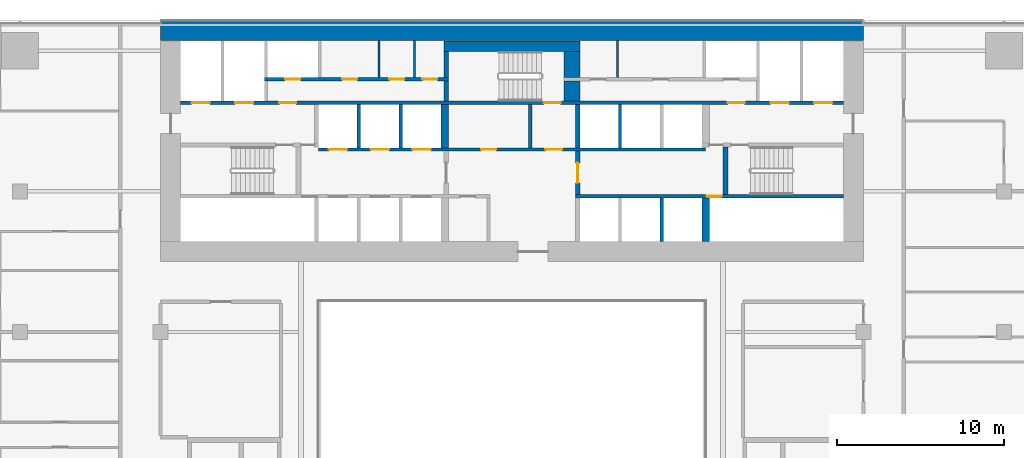
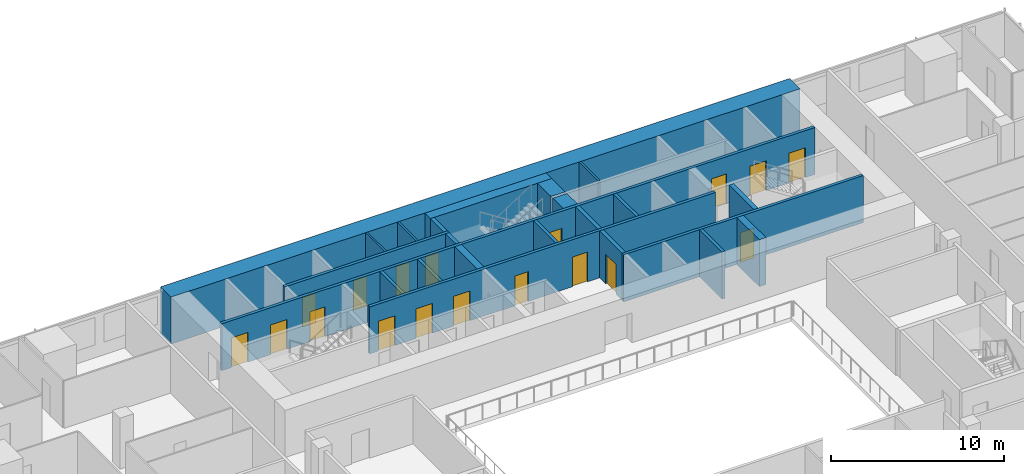
# One storey, part 22 of 29: 23 walls, 18 doors, 18 openings.
"""IFC4 building model written with IfcOpenShell, lengths in metres."""

import ifcopenshell
import ifcopenshell.guid

model = None  # the IFC model being written
_history = None  # IfcOwnerHistory: only IFC2X3 demands one
_inside = {}  # id of a spatial element -> (the spatial element, [elements in it])
_under = {}  # id of a project, library or spatial element -> (it, [spatial elements below it])
_declared = {}  # id of a project -> (the project, [libraries it declares])
_typed = {}  # id of a type object -> (the type object, [elements of that type])
_made_of = {}  # id of a material, layer set ... -> (it, [elements and type objects made of it])


def new_model(schema):
    """Start an empty IFC model of exactly this schema.

    Asked for "IFC4X3", IfcOpenShell would pick the latest addendum, in which some entities
    have other attributes; the version numbers below select the first issue.
    IFC2X3 requires an IfcOwnerHistory on every rooted entity: one is made here for all.
    """
    global model, _history
    if schema == "IFC4X3":
        model = ifcopenshell.file(schema_version=(4, 3, 0, 0))
    else:
        model = ifcopenshell.file(schema=schema)
    _inside.clear()
    _under.clear()
    _declared.clear()
    _typed.clear()
    _made_of.clear()
    _history = None
    if model.schema == "IFC2X3":
        org = make("IfcOrganization", Name="unknown")
        user = make(
            "IfcPersonAndOrganization",
            ThePerson=make("IfcPerson", FamilyName="unknown"),
            TheOrganization=org,
        )
        app = make(
            "IfcApplication",
            ApplicationDeveloper=org,
            Version="unknown",
            ApplicationFullName="unknown",
            ApplicationIdentifier="unknown",
        )
        _history = make(
            "IfcOwnerHistory",
            OwningUser=user,
            OwningApplication=app,
            ChangeAction="ADDED",
            CreationDate=0,
        )
    return model


def make(cls, **values):
    """One entity of the class cls with the attributes given. An attribute that is None is left unset."""
    return model.create_entity(
        cls, **{name: value for name, value in values.items() if value is not None}
    )


def rooted(cls, **values):
    """An entity with a GlobalId (a new one), such as an element, a storey or a relation."""
    return make(cls, GlobalId=ifcopenshell.guid.new(), OwnerHistory=_history, **values)


def si_unit(unit_type, name, prefix=None):
    """IfcSIUnit, for example si_unit("LENGTHUNIT", "METRE", prefix="MILLI")."""
    return make("IfcSIUnit", UnitType=unit_type, Prefix=prefix, Name=name)


def assignment(units):
    """IfcUnitAssignment: the units of a project."""
    return None if units is None else make("IfcUnitAssignment", Units=units)


def point(xyz):
    """IfcCartesianPoint."""
    return None if xyz is None else make("IfcCartesianPoint", Coordinates=xyz)


def direction(xyz):
    """IfcDirection."""
    return None if xyz is None else make("IfcDirection", DirectionRatios=xyz)


def frame(location, z_axis=None, x_axis=None):
    """IfcAxis2Placement3D, a coordinate frame: its origin and axes. An axis left out is left unset."""
    return make(
        "IfcAxis2Placement3D",
        Location=point(location),
        Axis=direction(z_axis),
        RefDirection=direction(x_axis),
    )


def frame_2d(location, x_axis=None):
    """IfcAxis2Placement2D, a coordinate frame in the plane: its origin and x axis."""
    return make(
        "IfcAxis2Placement2D", Location=point(location), RefDirection=direction(x_axis)
    )


def origin():
    """The frame at (0, 0, 0) with its axes left unset."""
    return frame((0.0, 0.0, 0.0))


def place(relative_to, where):
    """IfcLocalPlacement: puts the frame where relative to a parent placement (None: the world)."""
    return make(
        "IfcLocalPlacement", PlacementRelTo=relative_to, RelativePlacement=where
    )


def context(
    kind, dimensions, precision=None, world=None, true_north=None, identifier=None
):
    """IfcGeometricRepresentationContext, for example the 3D "Model" context."""
    return make(
        "IfcGeometricRepresentationContext",
        ContextIdentifier=identifier,
        ContextType=kind,
        CoordinateSpaceDimension=dimensions,
        Precision=precision,
        WorldCoordinateSystem=world,
        TrueNorth=true_north,
    )


def subcontext(parent, identifier, kind, view, scale=None):
    """IfcGeometricRepresentationSubContext, for example "Body" below "Model"."""
    return make(
        "IfcGeometricRepresentationSubContext",
        ContextIdentifier=identifier,
        ContextType=kind,
        ParentContext=parent,
        TargetScale=scale,
        TargetView=view,
    )


def project(units=None, contexts=None):
    """IfcProject with its units and contexts."""
    return rooted(
        "IfcProject",
        Name="project",
        RepresentationContexts=contexts,
        UnitsInContext=assignment(units),
    )


def spatial(cls, under=None, at=None, **own):
    """A site, building, storey or space (cls), placed at a placement, below another one or the project."""
    s = rooted(cls, ObjectPlacement=at, **own)
    if under is not None:
        _under.setdefault(under.id(), (under, []))[1].append(s)
    return s


def profile(cls, at=None, kind="AREA", **sizes):
    """A parametric profile (cls). Its sizes go by their IFC names, for example OverallWidth=200.0."""
    return make(cls, ProfileType=kind, Position=at, **sizes)


def rectangle(**sizes):
    """IfcRectangleProfileDef."""
    return profile("IfcRectangleProfileDef", **sizes)


def extrude(swept, where, along, depth):
    """IfcExtrudedAreaSolid: the profile swept, set in the frame where, extruded along a direction by depth."""
    return make(
        "IfcExtrudedAreaSolid",
        SweptArea=swept,
        Position=where,
        ExtrudedDirection=direction(along),
        Depth=depth,
    )


def shape(context_of_items, identifier, shape_type, items):
    """IfcShapeRepresentation: the items that make up one representation, for example the "Body"."""
    return make(
        "IfcShapeRepresentation",
        ContextOfItems=context_of_items,
        RepresentationIdentifier=identifier,
        RepresentationType=shape_type,
        Items=items,
    )


def material(Name=None, Category=None):
    """IfcMaterial."""
    return make("IfcMaterial", Name=Name, Category=Category)


def layer(
    of_material, thickness, ventilated=None, Name=None, Category=None, Priority=None
):
    """IfcMaterialLayer: one layer of a wall or slab, of a material (None: an air gap)."""
    return make(
        "IfcMaterialLayer",
        Material=of_material,
        LayerThickness=thickness,
        IsVentilated=ventilated,
        Name=Name,
        Category=Category,
        Priority=Priority,
    )


def layer_set(layers, Name=None):
    """IfcMaterialLayerSet."""
    return make("IfcMaterialLayerSet", MaterialLayers=layers, LayerSetName=Name)


def made_of(thing, what):
    """Note that an element or type object is made of a material, layer set ...; save() writes the relation."""
    if what is not None:
        _made_of.setdefault(what.id(), (what, []))[1].append(thing)
    return thing


def type_object(cls, material=None, **own):
    """A type object (cls), such as IfcWallType, which elements share."""
    return made_of(rooted(cls, **own), material)


def element(
    cls,
    number,
    at=None,
    inside=None,
    cuts=None,
    type_object=None,
    material=None,
    context=None,
    identifier="Body",
    shape_type=None,
    held_by="IfcProductDefinitionShape",
    body=None,
    shapes=None,
    **own,
):
    """One element of the class cls, such as IfcWall. Its Tag is "e" and its number.

    at: its placement. inside: the storey or other place that contains it. cuts: it is an
    opening in that element (IfcRelVoidsElement). A single representation is given by context,
    identifier, shape_type and body (its items); several are given by shapes. held_by: the class
    of the entity that holds the representations. save() writes the other relations.
    """
    e = rooted(cls, Tag="e%d" % number, ObjectPlacement=at, **own)
    if body is not None:
        shapes = [shape(context, identifier, shape_type, body)]
    if shapes is not None:
        e.Representation = make(held_by, Representations=shapes)
    if inside is not None:
        _inside.setdefault(inside.id(), (inside, []))[1].append(e)
    if cuts is not None:
        rooted(
            "IfcRelVoidsElement", RelatingBuildingElement=cuts, RelatedOpeningElement=e
        )
    if type_object is not None:
        _typed.setdefault(type_object.id(), (type_object, []))[1].append(e)
    return made_of(e, material)


def fill(opening, filler):
    """IfcRelFillsElement: the door or window that sits in an opening."""
    return rooted(
        "IfcRelFillsElement",
        RelatingOpeningElement=opening,
        RelatedBuildingElement=filler,
    )


def aggregate(whole, parts):
    """IfcRelAggregates: a whole, such as a stair, and the parts it consists of."""
    return rooted("IfcRelAggregates", RelatingObject=whole, RelatedObjects=parts)


def save(model, path):
    """Write the relations noted so far, then the file.

    IfcRelAggregates (storeys below a building ...), IfcRelContainedInSpatialStructure (elements
    in a storey), IfcRelDefinesByType, IfcRelAssociatesMaterial and IfcRelDeclares: one each for
    every whole, place, type object, material and project.
    """
    for whole, parts in _under.values():
        aggregate(whole, parts)
    for where, things in _inside.values():
        rooted(
            "IfcRelContainedInSpatialStructure",
            RelatedElements=things,
            RelatingStructure=where,
        )
    for kind, things in _typed.values():
        rooted("IfcRelDefinesByType", RelatedObjects=things, RelatingType=kind)
    for what, things in _made_of.values():
        rooted("IfcRelAssociatesMaterial", RelatedObjects=things, RelatingMaterial=what)
    for by, libraries in _declared.values():
        rooted("IfcRelDeclares", RelatingContext=by, RelatedDefinitions=libraries)
    model.write(path)


model = new_model("IFC4")

# Units and contexts
model_context = context("Model", 3, precision=1e-05, world=origin(), true_north=direction((0.0, 1.0)))
body_context = subcontext(model_context, "Body", "Model", "MODEL_VIEW")
ifc_project = project(units=[si_unit("LENGTHUNIT", "METRE"), si_unit("AREAUNIT", "SQUARE_METRE"), si_unit("VOLUMEUNIT", "CUBIC_METRE"), si_unit("PLANEANGLEUNIT", "RADIAN"), si_unit("MASSUNIT", "GRAM", prefix="KILO")], contexts=[model_context])

# Site, building, storey
site_placement = place(None, origin())
site = spatial("IfcSite", under=ifc_project, at=site_placement, CompositionType="ELEMENT")
building_placement = place(site_placement, origin())
building = spatial("IfcBuilding", under=site, at=building_placement, Name="Saffron Gate Tower", CompositionType="ELEMENT")
storey_placement = place(building_placement, frame((0.0, 0.0, 55.199951171875)))
storey = spatial("IfcBuildingStorey", under=building, at=storey_placement, Name="L12", CompositionType="ELEMENT", Elevation=55.199951171875)

# Walls
ifc_material_1 = material(Name="Concrete C70", Category="concrete")
ifc_layer_1 = layer(ifc_material_1, 1.199951171875)
ifc_layer_set_1 = layer_set([ifc_layer_1], Name="CW1 RC core wall 1200 C70")
wall_type_1 = type_object("IfcWallType", Name="CW1 RC core wall 1200 C70", PredefinedType="SOLIDWALL", material=ifc_layer_set_1)
wall_1_placement = place(storey_placement, frame((66.60009765625, 75.0, 0.0), z_axis=(0.0, 0.0, 1.0), x_axis=(1.0, 0.0, 0.0)))
element("IfcWall", 1, at=wall_1_placement, inside=storey, type_object=wall_type_1, Name="Wall CW1-L12-2", PredefinedType="SOLIDWALL", context=body_context, shape_type="SweptSolid", body=[
    extrude(rectangle(XDim=42.0, YDim=1.199951171875, at=frame_2d((21.0, 0.0))), origin(), (0.0, 0.0, 1.0), 3.320068359375),
])
ifc_material_2 = material(Name="Gypsum board partition on steel studs", Category="steel")
ifc_layer_2 = layer(ifc_material_2, 0.199951171875)
ifc_layer_set_2 = layer_set([ifc_layer_2], Name="CW10 Core partition 200")
wall_type_2 = type_object("IfcWallType", Name="CW10 Core partition 200", PredefinedType="PARTITIONING", material=ifc_layer_set_2)
wall_2_placement = place(storey_placement, frame((88.699951171875, 68.0, 0.0), z_axis=(0.0, 0.0, 1.0), x_axis=(0.0, 1.0, 0.0)))
element("IfcWall", 2, at=wall_2_placement, inside=storey, type_object=wall_type_2, Name="Wall CW10-L12-24", PredefinedType="PARTITIONING", context=body_context, shape_type="SweptSolid", body=[
    extrude(rectangle(XDim=2.60009765625, YDim=0.199951171875, at=frame_2d((1.300048828125, 0.0))), origin(), (0.0, 0.0, 1.0), 3.320068359375),
])

# Wall, opening, door
ifc_layer_3 = layer(ifc_material_1, 0.25)
ifc_layer_set_3 = layer_set([ifc_layer_3], Name="CW2 RC core wall 250 C70")
wall_type_3 = type_object("IfcWallType", Name="CW2 RC core wall 250 C70", PredefinedType="SOLIDWALL", material=ifc_layer_set_3)
wall_3_placement = place(storey_placement, frame((91.52490234375, 65.199951171875, 0.0), z_axis=(0.0, 0.0, 1.0), x_axis=(0.0, 1.0, 0.0)))
wall_3 = element("IfcWall", 3, at=wall_3_placement, inside=storey, type_object=wall_type_3, Name="Wall CW2-L12-18", PredefinedType="SOLIDWALL", context=body_context, shape_type="SweptSolid", body=[
    extrude(rectangle(XDim=2.60009765625, YDim=0.25, at=frame_2d((1.300048828125, 0.0))), origin(), (0.0, 0.0, 1.0), 3.320068359375),
])
opening_1_placement = place(wall_3_placement, frame((0.699951171875, 0.0, 0.0)))
opening_1 = element("IfcOpeningElement", 4, at=opening_1_placement, cuts=wall_3, Name="Opening CR-01", PredefinedType="OPENING", context=body_context, shape_type="SweptSolid", body=[
    extrude(rectangle(XDim=1.199951171875, YDim=2.10009765625, at=frame_2d((0.60009765625, 1.050048828125))), frame((0.0, 0.135009765625, 0.0), z_axis=(0.0, -1.0, 0.0), x_axis=(1.0, 0.0, 0.0)), (0.0, 0.0, 1.0), 0.27001953125),
])
ifc_material_3 = material(Name="Steel fire door set", Category="steel")
door_type_1 = type_object("IfcDoorType", Name="CD3 Lobby door 1200x2100 EI 120", OperationType="NOTDEFINED", PredefinedType="DOOR", material=ifc_material_3)
door_1_placement = place(opening_1_placement, origin())
door_1 = element("IfcDoor", 5, at=door_1_placement, inside=storey, type_object=door_type_1, Name="DOOR CR-01", OperationType="SINGLE_SWING_RIGHT", OverallHeight=2.10009765625, OverallWidth=1.199951171875, PredefinedType="DOOR", context=body_context, shape_type="SweptSolid", body=[
    extrude(rectangle(XDim=1.199951171875, YDim=2.10009765625, at=frame_2d((0.60009765625, 1.050048828125))), frame((0.0, 0.02490234375, 0.0), z_axis=(0.0, -1.0, 0.0), x_axis=(1.0, 0.0, 0.0)), (0.0, 0.0, 1.0), 0.050048828125),
])
fill(opening_1, door_1)

# Walls
wall_4_placement = place(storey_placement, frame((91.52490234375, 68.0, 0.0), z_axis=(0.0, 0.0, 1.0), x_axis=(0.0, 1.0, 0.0)))
element("IfcWall", 6, at=wall_4_placement, inside=storey, type_object=wall_type_3, Name="Wall CW2-L12-25", PredefinedType="SOLIDWALL", context=body_context, shape_type="SweptSolid", body=[
    extrude(rectangle(XDim=2.60009765625, YDim=0.25, at=frame_2d((1.300048828125, 0.0))), origin(), (0.0, 0.0, 1.0), 3.320068359375),
])
wall_5_placement = place(storey_placement, frame((83.675048828125, 70.800048828125, 0.0), z_axis=(0.0, 0.0, 1.0), x_axis=(0.0, 1.0, 0.0)))
element("IfcWall", 7, at=wall_5_placement, inside=storey, type_object=wall_type_3, Name="Wall CW2-L12-36", PredefinedType="SOLIDWALL", context=body_context, shape_type="SweptSolid", body=[
    extrude(rectangle(XDim=1.199951171875, YDim=0.25, at=frame_2d((0.60009765625, 0.0))), origin(), (0.0, 0.0, 1.0), 3.320068359375),
])
wall_6_placement = place(storey_placement, frame((83.675048828125, 72.199951171875, 0.0), z_axis=(0.0, 0.0, 1.0), x_axis=(0.0, 1.0, 0.0)))
element("IfcWall", 8, at=wall_6_placement, inside=storey, type_object=wall_type_3, Name="Wall CW2-L12-46", PredefinedType="SOLIDWALL", context=body_context, shape_type="SweptSolid", body=[
    extrude(rectangle(XDim=1.550048828125, YDim=0.25, at=frame_2d((0.77490234375, 0.0))), origin(), (0.0, 0.0, 1.0), 3.320068359375),
])
ifc_layer_4 = layer(ifc_material_1, 0.199951171875)
ifc_layer_set_4 = layer_set([ifc_layer_4], Name="CW3 RC core wall 200 C70")
wall_type_4 = type_object("IfcWallType", Name="CW3 RC core wall 200 C70", PredefinedType="SOLIDWALL", material=ifc_layer_set_4)
wall_7_placement = place(storey_placement, frame((96.550048828125, 62.39990234375, 0.0), z_axis=(0.0, 0.0, 1.0), x_axis=(0.0, 1.0, 0.0)))
element("IfcWall", 9, at=wall_7_placement, inside=storey, type_object=wall_type_4, Name="Wall CW3-L12-12", PredefinedType="SOLIDWALL", context=body_context, shape_type="SweptSolid", body=[
    extrude(rectangle(XDim=2.60009765625, YDim=0.199951171875, at=frame_2d((1.300048828125, 0.0))), origin(), (0.0, 0.0, 1.0), 3.320068359375),
])

# Wall, opening, door
wall_8_placement = place(storey_placement, frame((91.39990234375, 65.10009765625, 0.0), z_axis=(0.0, 0.0, 1.0), x_axis=(1.0, 0.0, 0.0)))
wall_8 = element("IfcWall", 10, at=wall_8_placement, inside=storey, type_object=wall_type_4, Name="Wall CW3-L12-15", PredefinedType="SOLIDWALL", context=body_context, shape_type="SweptSolid", body=[
    extrude(rectangle(XDim=16.0, YDim=0.199951171875, at=frame_2d((8.0, 0.0))), origin(), (0.0, 0.0, 1.0), 3.320068359375),
])
opening_2_placement = place(wall_8_placement, frame((7.830078125, 0.0, 0.0)))
opening_2 = element("IfcOpeningElement", 11, at=opening_2_placement, cuts=wall_8, Name="Opening CR-48", PredefinedType="OPENING", context=body_context, shape_type="SweptSolid", body=[
    extrude(rectangle(XDim=0.89990234375, YDim=2.10009765625, at=frame_2d((0.449951171875, 1.050048828125))), frame((0.0, 0.10986328125, 0.0), z_axis=(0.0, -1.0, 0.0), x_axis=(1.0, 0.0, 0.0)), (0.0, 0.0, 1.0), 0.219970703125),
])
door_type_2 = type_object("IfcDoorType", Name="CD2 Riser door 900x2100 EI 60", OperationType="NOTDEFINED", PredefinedType="DOOR", material=ifc_material_3)
door_2_placement = place(opening_2_placement, origin())
door_2 = element("IfcDoor", 12, at=door_2_placement, inside=storey, type_object=door_type_2, Name="DOOR CR-48", OperationType="SINGLE_SWING_RIGHT", OverallHeight=2.10009765625, OverallWidth=0.89990234375, PredefinedType="DOOR", context=body_context, shape_type="SweptSolid", body=[
    extrude(rectangle(XDim=0.89990234375, YDim=2.10009765625, at=frame_2d((0.449951171875, 1.050048828125))), frame((0.0, 0.02490234375, 0.0), z_axis=(0.0, -1.0, 0.0), x_axis=(1.0, 0.0, 0.0)), (0.0, 0.0, 1.0), 0.050048828125),
])
fill(opening_2, door_2)

# Wall, openings, doors
wall_9_placement = place(storey_placement, frame((76.050048828125, 67.89990234375, 0.0), z_axis=(0.0, 0.0, 1.0), x_axis=(1.0, 0.0, 0.0)))
wall_9 = element("IfcWall", 13, at=wall_9_placement, inside=storey, type_object=wall_type_4, Name="Wall CW3-L12-20", PredefinedType="SOLIDWALL", context=body_context, shape_type="SweptSolid", body=[
    extrude(rectangle(XDim=23.099853515625, YDim=0.199951171875, at=frame_2d((11.5498046875, 0.0))), origin(), (0.0, 0.0, 1.0), 3.320068359375),
])
opening_3_placement = place(wall_9_placement, frame((0.60009765625, 0.0, 0.0)))
opening_3 = element("IfcOpeningElement", 14, at=opening_3_placement, cuts=wall_9, Name="Opening LD-LR4", PredefinedType="OPENING", context=body_context, shape_type="SweptSolid", body=[
    extrude(rectangle(XDim=1.10009765625, YDim=2.10009765625, at=frame_2d((0.550048828125, 1.050048828125))), frame((0.0, 0.10986328125, 0.0), z_axis=(0.0, -1.0, 0.0), x_axis=(1.0, 0.0, 0.0)), (0.0, 0.0, 1.0), 0.219970703125),
])
opening_4_placement = place(wall_9_placement, frame((3.10009765625, 0.0, 0.0)))
opening_4 = element("IfcOpeningElement", 15, at=opening_4_placement, cuts=wall_9, Name="Opening LD-LR5", PredefinedType="OPENING", context=body_context, shape_type="SweptSolid", body=[
    extrude(rectangle(XDim=1.10009765625, YDim=2.10009765625, at=frame_2d((0.550048828125, 1.050048828125))), frame((0.0, 0.10986328125, 0.0), z_axis=(0.0, -1.0, 0.0), x_axis=(1.0, 0.0, 0.0)), (0.0, 0.0, 1.0), 0.219970703125),
])
opening_5_placement = place(wall_9_placement, frame((5.60009765625, 0.0, 0.0)))
opening_5 = element("IfcOpeningElement", 16, at=opening_5_placement, cuts=wall_9, Name="Opening LD-LR6", PredefinedType="OPENING", context=body_context, shape_type="SweptSolid", body=[
    extrude(rectangle(XDim=1.10009765625, YDim=2.10009765625, at=frame_2d((0.550048828125, 1.050048828125))), frame((0.0, 0.10986328125, 0.0), z_axis=(0.0, -1.0, 0.0), x_axis=(1.0, 0.0, 0.0)), (0.0, 0.0, 1.0), 0.219970703125),
])
opening_6_placement = place(wall_9_placement, frame((9.699951171875, 0.0, 0.0)))
opening_6 = element("IfcOpeningElement", 17, at=opening_6_placement, cuts=wall_9, Name="Opening CR-67", PredefinedType="OPENING", context=body_context, shape_type="SweptSolid", body=[
    extrude(rectangle(XDim=0.89990234375, YDim=2.10009765625, at=frame_2d((0.449951171875, 1.050048828125))), frame((0.0, 0.10986328125, 0.0), z_axis=(0.0, -1.0, 0.0), x_axis=(1.0, 0.0, 0.0)), (0.0, 0.0, 1.0), 0.219970703125),
])
opening_7_placement = place(wall_9_placement, frame((13.550048828125, 0.0, 0.0)))
opening_7 = element("IfcOpeningElement", 18, at=opening_7_placement, cuts=wall_9, Name="Opening CR-02", PredefinedType="OPENING", context=body_context, shape_type="SweptSolid", body=[
    extrude(rectangle(XDim=1.0, YDim=2.10009765625, at=frame_2d((0.5, 1.050048828125))), frame((0.0, 0.10986328125, 0.0), z_axis=(0.0, -1.0, 0.0), x_axis=(1.0, 0.0, 0.0)), (0.0, 0.0, 1.0), 0.219970703125),
])
door_type_3 = type_object("IfcDoorType", Name="CD4 Lobby door 1000x2100 EI 120", OperationType="NOTDEFINED", PredefinedType="DOOR", material=ifc_material_3)
door_3_placement = place(opening_7_placement, origin())
door_3 = element("IfcDoor", 19, at=door_3_placement, inside=storey, type_object=door_type_3, Name="DOOR CR-02", OperationType="SINGLE_SWING_LEFT", OverallHeight=2.10009765625, OverallWidth=1.0, PredefinedType="DOOR", context=body_context, shape_type="SweptSolid", body=[
    extrude(rectangle(XDim=1.0, YDim=2.10009765625, at=frame_2d((0.5, 1.050048828125))), frame((0.0, 0.02490234375, 0.0), z_axis=(0.0, -1.0, 0.0), x_axis=(1.0, 0.0, 0.0)), (0.0, 0.0, 1.0), 0.050048828125),
])
fill(opening_7, door_3)
door_type_4 = type_object("IfcDoorType", Name="CD9 Room door 900x2100 EI 60", OperationType="NOTDEFINED", PredefinedType="DOOR", material=ifc_material_3)
door_4_placement = place(opening_6_placement, origin())
door_4 = element("IfcDoor", 20, at=door_4_placement, inside=storey, type_object=door_type_4, Name="DOOR CR-67", OperationType="SINGLE_SWING_LEFT", OverallHeight=2.10009765625, OverallWidth=0.89990234375, PredefinedType="DOOR", context=body_context, shape_type="SweptSolid", body=[
    extrude(rectangle(XDim=0.89990234375, YDim=2.10009765625, at=frame_2d((0.449951171875, 1.050048828125))), frame((0.0, 0.02490234375, 0.0), z_axis=(0.0, -1.0, 0.0), x_axis=(1.0, 0.0, 0.0)), (0.0, 0.0, 1.0), 0.050048828125),
])
fill(opening_6, door_4)
ifc_material_4 = material(Name="Stainless steel landing door", Category="steel")
door_type_5 = type_object("IfcDoorType", Name="LD Lift landing door 1100x2100 EI 120", OperationType="SLIDING_TO_LEFT", PredefinedType="DOOR", material=ifc_material_4)
door_5_placement = place(opening_3_placement, origin())
door_5 = element("IfcDoor", 21, at=door_5_placement, inside=storey, type_object=door_type_5, Name="LANDING DOOR LD-LR4", OperationType="SLIDING_TO_RIGHT", OverallHeight=2.10009765625, OverallWidth=1.10009765625, PredefinedType="DOOR", context=body_context, shape_type="SweptSolid", body=[
    extrude(rectangle(XDim=1.10009765625, YDim=2.10009765625, at=frame_2d((0.550048828125, 1.050048828125))), frame((0.0, 0.02490234375, 0.0), z_axis=(0.0, -1.0, 0.0), x_axis=(1.0, 0.0, 0.0)), (0.0, 0.0, 1.0), 0.050048828125),
])
fill(opening_3, door_5)
door_6_placement = place(opening_4_placement, origin())
door_6 = element("IfcDoor", 22, at=door_6_placement, inside=storey, type_object=door_type_5, Name="LANDING DOOR LD-LR5", OperationType="SLIDING_TO_RIGHT", OverallHeight=2.10009765625, OverallWidth=1.10009765625, PredefinedType="DOOR", context=body_context, shape_type="SweptSolid", body=[
    extrude(rectangle(XDim=1.10009765625, YDim=2.10009765625, at=frame_2d((0.550048828125, 1.050048828125))), frame((0.0, 0.02490234375, 0.0), z_axis=(0.0, -1.0, 0.0), x_axis=(1.0, 0.0, 0.0)), (0.0, 0.0, 1.0), 0.050048828125),
])
fill(opening_4, door_6)
door_7_placement = place(opening_5_placement, origin())
door_7 = element("IfcDoor", 23, at=door_7_placement, inside=storey, type_object=door_type_5, Name="LANDING DOOR LD-LR6", OperationType="SLIDING_TO_RIGHT", OverallHeight=2.10009765625, OverallWidth=1.10009765625, PredefinedType="DOOR", context=body_context, shape_type="SweptSolid", body=[
    extrude(rectangle(XDim=1.10009765625, YDim=2.10009765625, at=frame_2d((0.550048828125, 1.050048828125))), frame((0.0, 0.02490234375, 0.0), z_axis=(0.0, -1.0, 0.0), x_axis=(1.0, 0.0, 0.0)), (0.0, 0.0, 1.0), 0.050048828125),
])
fill(opening_5, door_7)

# Walls
for number, where, z_axis, x_axis, name in (
    (24, (78.449951171875, 68.0, 0.0), (0.0, 0.0, 1.0), (0.0, 1.0, 0.0), "Wall CW3-L12-21"),
    (25, (80.949951171875, 68.0, 0.0), (0.0, 0.0, 1.0), (0.0, 1.0, 0.0), "Wall CW3-L12-22"),
    (26, (94.050048828125, 68.0, 0.0), (0.0, 0.0, 1.0), (0.0, 1.0, 0.0), "Wall CW3-L12-26"),
):
    element("IfcWall", number, at=place(storey_placement, frame(where, z_axis=z_axis, x_axis=x_axis)), inside=storey, type_object=wall_type_4, Name=name, PredefinedType="SOLIDWALL", context=body_context, shape_type="SweptSolid", body=[
        extrude(rectangle(XDim=2.60009765625, YDim=0.199951171875, at=frame_2d((1.300048828125, 0.0))), origin(), (0.0, 0.0, 1.0), 3.320068359375),
    ])

# Wall, openings, doors
wall_10_placement = place(storey_placement, frame((67.800048828125, 70.699951171875, 0.0), z_axis=(0.0, 0.0, 1.0), x_axis=(1.0, 0.0, 0.0)))
wall_10 = element("IfcWall", 27, at=wall_10_placement, inside=storey, type_object=wall_type_4, Name="Wall CW3-L12-33", PredefinedType="SOLIDWALL", context=body_context, shape_type="SweptSolid", body=[
    extrude(rectangle(XDim=39.599853515625, YDim=0.199951171875, at=frame_2d((19.7998046875, 0.0))), origin(), (0.0, 0.0, 1.0), 3.320068359375),
])
opening_8_placement = place(wall_10_placement, frame((0.64990234375, 0.0, 0.0)))
opening_8 = element("IfcOpeningElement", 28, at=opening_8_placement, cuts=wall_10, Name="Opening LD-FF1", PredefinedType="OPENING", context=body_context, shape_type="SweptSolid", body=[
    extrude(rectangle(XDim=1.10009765625, YDim=2.10009765625, at=frame_2d((0.550048828125, 1.050048828125))), frame((0.0, 0.10986328125, 0.0), z_axis=(0.0, -1.0, 0.0), x_axis=(1.0, 0.0, 0.0)), (0.0, 0.0, 1.0), 0.219970703125),
])
opening_9_placement = place(wall_10_placement, frame((3.25, 0.0, 0.0)))
opening_9 = element("IfcOpeningElement", 29, at=opening_9_placement, cuts=wall_10, Name="Opening LD-SV1", PredefinedType="OPENING", context=body_context, shape_type="SweptSolid", body=[
    extrude(rectangle(XDim=1.10009765625, YDim=2.10009765625, at=frame_2d((0.550048828125, 1.050048828125))), frame((0.0, 0.10986328125, 0.0), z_axis=(0.0, -1.0, 0.0), x_axis=(1.0, 0.0, 0.0)), (0.0, 0.0, 1.0), 0.219970703125),
])
opening_10_placement = place(wall_10_placement, frame((5.89990234375, 0.0, 0.0)))
opening_10 = element("IfcOpeningElement", 30, at=opening_10_placement, cuts=wall_10, Name="Opening CR-03", PredefinedType="OPENING", context=body_context, shape_type="SweptSolid", body=[
    extrude(rectangle(XDim=1.0, YDim=2.10009765625, at=frame_2d((0.5, 1.050048828125))), frame((0.0, 0.10986328125, 0.0), z_axis=(0.0, -1.0, 0.0), x_axis=(1.0, 0.0, 0.0)), (0.0, 0.0, 1.0), 0.219970703125),
])
opening_11_placement = place(wall_10_placement, frame((21.699951171875, 0.0, 0.0)))
opening_11 = element("IfcOpeningElement", 31, at=opening_11_placement, cuts=wall_10, Name="Opening CR-17", PredefinedType="OPENING", context=body_context, shape_type="SweptSolid", body=[
    extrude(rectangle(XDim=1.0, YDim=2.10009765625, at=frame_2d((0.5, 1.050048828125))), frame((0.0, 0.10986328125, 0.0), z_axis=(0.0, -1.0, 0.0), x_axis=(1.0, 0.0, 0.0)), (0.0, 0.0, 1.0), 0.219970703125),
])
opening_12_placement = place(wall_10_placement, frame((32.699951171875, 0.0, 0.0)))
opening_12 = element("IfcOpeningElement", 32, at=opening_12_placement, cuts=wall_10, Name="Opening CR-04", PredefinedType="OPENING", context=body_context, shape_type="SweptSolid", body=[
    extrude(rectangle(XDim=1.0, YDim=2.10009765625, at=frame_2d((0.5, 1.050048828125))), frame((0.0, 0.10986328125, 0.0), z_axis=(0.0, -1.0, 0.0), x_axis=(1.0, 0.0, 0.0)), (0.0, 0.0, 1.0), 0.219970703125),
])
opening_13_placement = place(wall_10_placement, frame((35.25, 0.0, 0.0)))
opening_13 = element("IfcOpeningElement", 33, at=opening_13_placement, cuts=wall_10, Name="Opening LD-SV2", PredefinedType="OPENING", context=body_context, shape_type="SweptSolid", body=[
    extrude(rectangle(XDim=1.10009765625, YDim=2.10009765625, at=frame_2d((0.550048828125, 1.050048828125))), frame((0.0, 0.10986328125, 0.0), z_axis=(0.0, -1.0, 0.0), x_axis=(1.0, 0.0, 0.0)), (0.0, 0.0, 1.0), 0.219970703125),
])
opening_14_placement = place(wall_10_placement, frame((37.85009765625, 0.0, 0.0)))
opening_14 = element("IfcOpeningElement", 34, at=opening_14_placement, cuts=wall_10, Name="Opening LD-FF2", PredefinedType="OPENING", context=body_context, shape_type="SweptSolid", body=[
    extrude(rectangle(XDim=1.10009765625, YDim=2.10009765625, at=frame_2d((0.550048828125, 1.050048828125))), frame((0.0, 0.10986328125, 0.0), z_axis=(0.0, -1.0, 0.0), x_axis=(1.0, 0.0, 0.0)), (0.0, 0.0, 1.0), 0.219970703125),
])
door_8_placement = place(opening_10_placement, origin())
door_8 = element("IfcDoor", 35, at=door_8_placement, inside=storey, type_object=door_type_3, Name="DOOR CR-03", OperationType="SINGLE_SWING_LEFT", OverallHeight=2.10009765625, OverallWidth=1.0, PredefinedType="DOOR", context=body_context, shape_type="SweptSolid", body=[
    extrude(rectangle(XDim=1.0, YDim=2.10009765625, at=frame_2d((0.5, 1.050048828125))), frame((0.0, 0.02490234375, 0.0), z_axis=(0.0, -1.0, 0.0), x_axis=(1.0, 0.0, 0.0)), (0.0, 0.0, 1.0), 0.050048828125),
])
fill(opening_10, door_8)
door_9_placement = place(opening_12_placement, origin())
door_9 = element("IfcDoor", 36, at=door_9_placement, inside=storey, type_object=door_type_3, Name="DOOR CR-04", OperationType="SINGLE_SWING_RIGHT", OverallHeight=2.10009765625, OverallWidth=1.0, PredefinedType="DOOR", context=body_context, shape_type="SweptSolid", body=[
    extrude(rectangle(XDim=1.0, YDim=2.10009765625, at=frame_2d((0.5, 1.050048828125))), frame((0.0, 0.02490234375, 0.0), z_axis=(0.0, -1.0, 0.0), x_axis=(1.0, 0.0, 0.0)), (0.0, 0.0, 1.0), 0.050048828125),
])
fill(opening_12, door_9)
door_type_6 = type_object("IfcDoorType", Name="CD5 Stair door 1000x2100 EI 120", OperationType="NOTDEFINED", PredefinedType="DOOR", material=ifc_material_3)
door_10_placement = place(opening_11_placement, origin())
door_10 = element("IfcDoor", 37, at=door_10_placement, inside=storey, type_object=door_type_6, Name="DOOR CR-17", OperationType="SINGLE_SWING_RIGHT", OverallHeight=2.10009765625, OverallWidth=1.0, PredefinedType="DOOR", context=body_context, shape_type="SweptSolid", body=[
    extrude(rectangle(XDim=1.0, YDim=2.10009765625, at=frame_2d((0.5, 1.050048828125))), frame((0.0, 0.02490234375, 0.0), z_axis=(0.0, -1.0, 0.0), x_axis=(1.0, 0.0, 0.0)), (0.0, 0.0, 1.0), 0.050048828125),
])
fill(opening_11, door_10)
door_11_placement = place(opening_8_placement, origin())
door_11 = element("IfcDoor", 38, at=door_11_placement, inside=storey, type_object=door_type_5, Name="LANDING DOOR LD-FF1", OperationType="SLIDING_TO_RIGHT", OverallHeight=2.10009765625, OverallWidth=1.10009765625, PredefinedType="DOOR", context=body_context, shape_type="SweptSolid", body=[
    extrude(rectangle(XDim=1.10009765625, YDim=2.10009765625, at=frame_2d((0.550048828125, 1.050048828125))), frame((0.0, 0.02490234375, 0.0), z_axis=(0.0, -1.0, 0.0), x_axis=(1.0, 0.0, 0.0)), (0.0, 0.0, 1.0), 0.050048828125),
])
fill(opening_8, door_11)
door_12_placement = place(opening_9_placement, origin())
door_12 = element("IfcDoor", 39, at=door_12_placement, inside=storey, type_object=door_type_5, Name="LANDING DOOR LD-SV1", OperationType="SLIDING_TO_RIGHT", OverallHeight=2.10009765625, OverallWidth=1.10009765625, PredefinedType="DOOR", context=body_context, shape_type="SweptSolid", body=[
    extrude(rectangle(XDim=1.10009765625, YDim=2.10009765625, at=frame_2d((0.550048828125, 1.050048828125))), frame((0.0, 0.02490234375, 0.0), z_axis=(0.0, -1.0, 0.0), x_axis=(1.0, 0.0, 0.0)), (0.0, 0.0, 1.0), 0.050048828125),
])
fill(opening_9, door_12)
door_13_placement = place(opening_13_placement, origin())
door_13 = element("IfcDoor", 40, at=door_13_placement, inside=storey, type_object=door_type_5, Name="LANDING DOOR LD-SV2", OperationType="SLIDING_TO_RIGHT", OverallHeight=2.10009765625, OverallWidth=1.10009765625, PredefinedType="DOOR", context=body_context, shape_type="SweptSolid", body=[
    extrude(rectangle(XDim=1.10009765625, YDim=2.10009765625, at=frame_2d((0.550048828125, 1.050048828125))), frame((0.0, 0.02490234375, 0.0), z_axis=(0.0, -1.0, 0.0), x_axis=(1.0, 0.0, 0.0)), (0.0, 0.0, 1.0), 0.050048828125),
])
fill(opening_13, door_13)
door_14_placement = place(opening_14_placement, origin())
door_14 = element("IfcDoor", 41, at=door_14_placement, inside=storey, type_object=door_type_5, Name="LANDING DOOR LD-FF2", OperationType="SLIDING_TO_RIGHT", OverallHeight=2.10009765625, OverallWidth=1.10009765625, PredefinedType="DOOR", context=body_context, shape_type="SweptSolid", body=[
    extrude(rectangle(XDim=1.10009765625, YDim=2.10009765625, at=frame_2d((0.550048828125, 1.050048828125))), frame((0.0, 0.02490234375, 0.0), z_axis=(0.0, -1.0, 0.0), x_axis=(1.0, 0.0, 0.0)), (0.0, 0.0, 1.0), 0.050048828125),
])
fill(opening_14, door_14)

wall_11_placement = place(storey_placement, frame((72.800048828125, 72.10009765625, 0.0), z_axis=(0.0, 0.0, 1.0), x_axis=(1.0, 0.0, 0.0)))
wall_11 = element("IfcWall", 42, at=wall_11_placement, inside=storey, type_object=wall_type_4, Name="Wall CW3-L12-40", PredefinedType="SOLIDWALL", context=body_context, shape_type="SweptSolid", body=[
    extrude(rectangle(XDim=11.0, YDim=0.199951171875, at=frame_2d((5.5, 0.0))), origin(), (0.0, 0.0, 1.0), 3.320068359375),
])
opening_15_placement = place(wall_11_placement, frame((1.25, 0.0, 0.0)))
opening_15 = element("IfcOpeningElement", 43, at=opening_15_placement, cuts=wall_11, Name="Opening CR-71", PredefinedType="OPENING", context=body_context, shape_type="SweptSolid", body=[
    extrude(rectangle(XDim=0.89990234375, YDim=2.10009765625, at=frame_2d((0.449951171875, 1.050048828125))), frame((0.0, 0.10986328125, 0.0), z_axis=(0.0, -1.0, 0.0), x_axis=(1.0, 0.0, 0.0)), (0.0, 0.0, 1.0), 0.219970703125),
])
opening_16_placement = place(wall_11_placement, frame((4.64990234375, 0.0, 0.0)))
opening_16 = element("IfcOpeningElement", 44, at=opening_16_placement, cuts=wall_11, Name="Opening CR-55", PredefinedType="OPENING", context=body_context, shape_type="SweptSolid", body=[
    extrude(rectangle(XDim=0.89990234375, YDim=2.10009765625, at=frame_2d((0.449951171875, 1.050048828125))), frame((0.0, 0.10986328125, 0.0), z_axis=(0.0, -1.0, 0.0), x_axis=(1.0, 0.0, 0.0)), (0.0, 0.0, 1.0), 0.219970703125),
])
opening_17_placement = place(wall_11_placement, frame((7.469970703125, 0.0, 0.0)))
opening_17 = element("IfcOpeningElement", 45, at=opening_17_placement, cuts=wall_11, Name="Opening CR-58", PredefinedType="OPENING", context=body_context, shape_type="SweptSolid", body=[
    extrude(rectangle(XDim=0.89990234375, YDim=2.10009765625, at=frame_2d((0.449951171875, 1.050048828125))), frame((0.0, 0.10986328125, 0.0), z_axis=(0.0, -1.0, 0.0), x_axis=(1.0, 0.0, 0.0)), (0.0, 0.0, 1.0), 0.219970703125),
])
opening_18_placement = place(wall_11_placement, frame((9.445068359375, 0.0, 0.0)))
opening_18 = element("IfcOpeningElement", 46, at=opening_18_placement, cuts=wall_11, Name="Opening CR-59", PredefinedType="OPENING", context=body_context, shape_type="SweptSolid", body=[
    extrude(rectangle(XDim=0.89990234375, YDim=2.10009765625, at=frame_2d((0.449951171875, 1.050048828125))), frame((0.0, 0.10986328125, 0.0), z_axis=(0.0, -1.0, 0.0), x_axis=(1.0, 0.0, 0.0)), (0.0, 0.0, 1.0), 0.219970703125),
])
door_15_placement = place(opening_15_placement, origin())
door_15 = element("IfcDoor", 47, at=door_15_placement, inside=storey, type_object=door_type_2, Name="DOOR CR-71", OperationType="SINGLE_SWING_LEFT", OverallHeight=2.10009765625, OverallWidth=0.89990234375, PredefinedType="DOOR", context=body_context, shape_type="SweptSolid", body=[
    extrude(rectangle(XDim=0.89990234375, YDim=2.10009765625, at=frame_2d((0.449951171875, 1.050048828125))), frame((0.0, 0.02490234375, 0.0), z_axis=(0.0, -1.0, 0.0), x_axis=(1.0, 0.0, 0.0)), (0.0, 0.0, 1.0), 0.050048828125),
])
fill(opening_15, door_15)
door_16_placement = place(opening_16_placement, origin())
door_16 = element("IfcDoor", 48, at=door_16_placement, inside=storey, type_object=door_type_4, Name="DOOR CR-55", OperationType="SINGLE_SWING_LEFT", OverallHeight=2.10009765625, OverallWidth=0.89990234375, PredefinedType="DOOR", context=body_context, shape_type="SweptSolid", body=[
    extrude(rectangle(XDim=0.89990234375, YDim=2.10009765625, at=frame_2d((0.449951171875, 1.050048828125))), frame((0.0, 0.02490234375, 0.0), z_axis=(0.0, -1.0, 0.0), x_axis=(1.0, 0.0, 0.0)), (0.0, 0.0, 1.0), 0.050048828125),
])
fill(opening_16, door_16)
door_17_placement = place(opening_17_placement, origin())
door_17 = element("IfcDoor", 49, at=door_17_placement, inside=storey, type_object=door_type_4, Name="DOOR CR-58", OperationType="SINGLE_SWING_LEFT", OverallHeight=2.10009765625, OverallWidth=0.89990234375, PredefinedType="DOOR", context=body_context, shape_type="SweptSolid", body=[
    extrude(rectangle(XDim=0.89990234375, YDim=2.10009765625, at=frame_2d((0.449951171875, 1.050048828125))), frame((0.0, 0.02490234375, 0.0), z_axis=(0.0, -1.0, 0.0), x_axis=(1.0, 0.0, 0.0)), (0.0, 0.0, 1.0), 0.050048828125),
])
fill(opening_17, door_17)
door_18_placement = place(opening_18_placement, origin())
door_18 = element("IfcDoor", 50, at=door_18_placement, inside=storey, type_object=door_type_4, Name="DOOR CR-59", OperationType="SINGLE_SWING_LEFT", OverallHeight=2.10009765625, OverallWidth=0.89990234375, PredefinedType="DOOR", context=body_context, shape_type="SweptSolid", body=[
    extrude(rectangle(XDim=0.89990234375, YDim=2.10009765625, at=frame_2d((0.449951171875, 1.050048828125))), frame((0.0, 0.02490234375, 0.0), z_axis=(0.0, -1.0, 0.0), x_axis=(1.0, 0.0, 0.0)), (0.0, 0.0, 1.0), 0.050048828125),
])
fill(opening_18, door_18)

# Walls
ifc_layer_5 = layer(ifc_material_1, 0.449951171875)
ifc_layer_set_5 = layer_set([ifc_layer_5], Name="CW4 RC core wall 450 C70")
wall_type_5 = type_object("IfcWallType", Name="CW4 RC core wall 450 C70", PredefinedType="SOLIDWALL", material=ifc_layer_set_5)
for number, where, z_axis, x_axis, name in (
    (51, (99.175048828125, 62.39990234375, 0.0), (0.0, 0.0, 1.0), (0.0, 1.0, 0.0), "Wall CW4-L12-13"),
    (52, (83.574951171875, 68.0, 0.0), (0.0, 0.0, 1.0), (0.0, 1.0, 0.0), "Wall CW4-L12-23"),
):
    element("IfcWall", number, at=place(storey_placement, frame(where, z_axis=z_axis, x_axis=x_axis)), inside=storey, type_object=wall_type_5, Name=name, PredefinedType="SOLIDWALL", context=body_context, shape_type="SweptSolid", body=[
        extrude(rectangle(XDim=2.60009765625, YDim=0.449951171875, at=frame_2d((1.300048828125, 0.0))), origin(), (0.0, 0.0, 1.0), 3.320068359375),
    ])
ifc_layer_6 = layer(ifc_material_1, 0.300048828125)
ifc_layer_set_6 = layer_set([ifc_layer_6], Name="CW5 RC core wall 300 C70")
wall_type_6 = type_object("IfcWallType", Name="CW5 RC core wall 300 C70", PredefinedType="SOLIDWALL", material=ifc_layer_set_6)
wall_12_placement = place(storey_placement, frame((100.35009765625, 65.199951171875, 0.0), z_axis=(0.0, 0.0, 1.0), x_axis=(0.0, 1.0, 0.0)))
element("IfcWall", 53, at=wall_12_placement, inside=storey, type_object=wall_type_6, Name="Wall CW5-L12-19", PredefinedType="SOLIDWALL", context=body_context, shape_type="SweptSolid", body=[
    extrude(rectangle(XDim=2.85009765625, YDim=0.300048828125, at=frame_2d((1.425048828125, 0.0))), origin(), (0.0, 0.0, 1.0), 3.320068359375),
])
ifc_layer_7 = layer(ifc_material_1, 0.949951171875)
ifc_layer_set_7 = layer_set([ifc_layer_7], Name="CW7 RC core wall 950 C70")
wall_type_7 = type_object("IfcWallType", Name="CW7 RC core wall 950 C70", PredefinedType="SOLIDWALL", material=ifc_layer_set_7)
wall_13_placement = place(storey_placement, frame((91.175048828125, 70.800048828125, 0.0), z_axis=(0.0, 0.0, 1.0), x_axis=(0.0, 1.0, 0.0)))
element("IfcWall", 54, at=wall_13_placement, inside=storey, type_object=wall_type_7, Name="Wall CW7-L12-37", PredefinedType="SOLIDWALL", context=body_context, shape_type="SweptSolid", body=[
    extrude(rectangle(XDim=1.199951171875, YDim=0.949951171875, at=frame_2d((0.60009765625, 0.0))), origin(), (0.0, 0.0, 1.0), 3.320068359375),
])
wall_14_placement = place(storey_placement, frame((91.175048828125, 72.199951171875, 0.0), z_axis=(0.0, 0.0, 1.0), x_axis=(0.0, 1.0, 0.0)))
element("IfcWall", 55, at=wall_14_placement, inside=storey, type_object=wall_type_7, Name="Wall CW7-L12-47", PredefinedType="SOLIDWALL", context=body_context, shape_type="SweptSolid", body=[
    extrude(rectangle(XDim=1.550048828125, YDim=0.949951171875, at=frame_2d((0.77490234375, 0.0))), origin(), (0.0, 0.0, 1.0), 3.320068359375),
])
ifc_layer_8 = layer(ifc_material_2, 0.1201171875)
ifc_layer_set_8 = layer_set([ifc_layer_8], Name="CW8 Core partition 120")
wall_type_8 = type_object("IfcWallType", Name="CW8 Core partition 120", PredefinedType="PARTITIONING", material=ifc_layer_set_8)
for number, where, z_axis, x_axis, name in (
    (56, (79.659912109375, 72.199951171875, 0.0), (0.0, 0.0, 1.0), (0.0, 1.0, 0.0), "Wall CW8-L12-44"),
    (57, (81.780029296875, 72.199951171875, 0.0), (0.0, 0.0, 1.0), (0.0, 1.0, 0.0), "Wall CW8-L12-45"),
    (58, (93.909912109375, 72.199951171875, 0.0), (0.0, 0.0, 1.0), (0.0, 1.0, 0.0), "Wall CW8-L12-48"),
):
    element("IfcWall", number, at=place(storey_placement, frame(where, z_axis=z_axis, x_axis=x_axis)), inside=storey, type_object=wall_type_8, Name=name, PredefinedType="PARTITIONING", context=body_context, shape_type="SweptSolid", body=[
        extrude(rectangle(XDim=2.199951171875, YDim=0.1201171875, at=frame_2d((1.10009765625, 0.0))), origin(), (0.0, 0.0, 1.0), 3.320068359375),
    ])
ifc_layer_9 = layer(ifc_material_1, 0.64990234375)
ifc_layer_set_9 = layer_set([ifc_layer_9], Name="CW9 RC core wall 650 C70")
wall_type_9 = type_object("IfcWallType", Name="CW9 RC core wall 650 C70", PredefinedType="SOLIDWALL", material=ifc_layer_set_9)
wall_15_placement = place(storey_placement, frame((83.550048828125, 74.074951171875, 0.0), z_axis=(0.0, 0.0, 1.0), x_axis=(1.0, 0.0, 0.0)))
element("IfcWall", 59, at=wall_15_placement, inside=storey, type_object=wall_type_9, Name="Wall CW9-L12-51", PredefinedType="SOLIDWALL", context=body_context, shape_type="SweptSolid", body=[
    extrude(rectangle(XDim=8.099853515625, YDim=0.64990234375, at=frame_2d((4.0498046875, 0.0))), origin(), (0.0, 0.0, 1.0), 3.320068359375),
])

save(model, "model.ifc")
